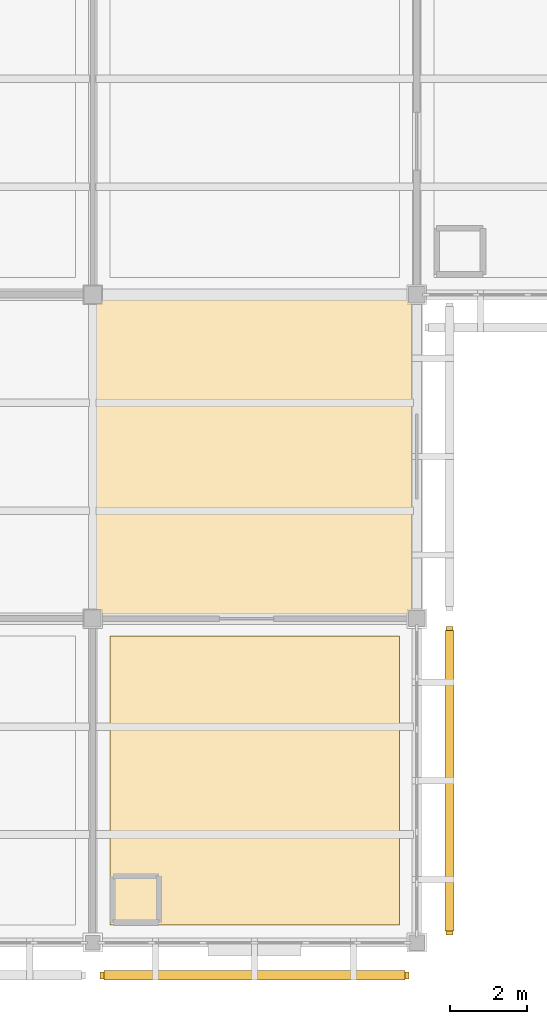
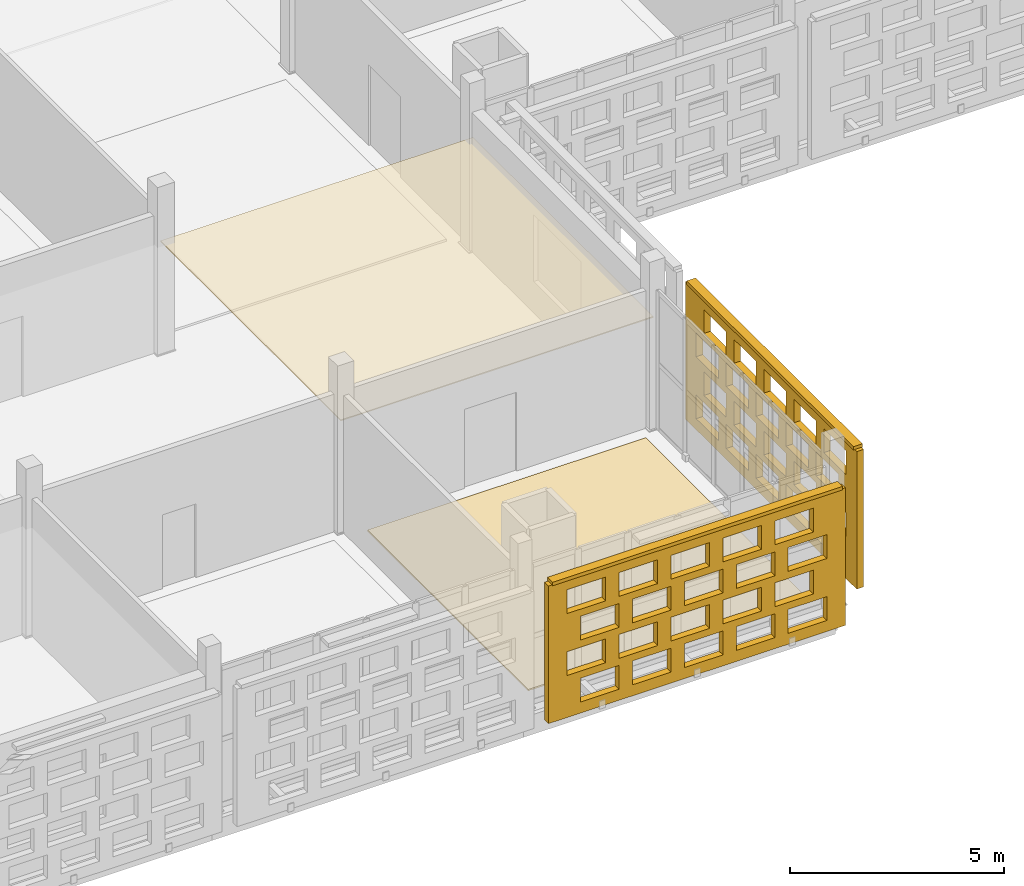
# One storey, part 139 of 203: 4 coverings, 2 shading devices, 40 openings.
"""IFC4 building model written with IfcOpenShell, lengths in metres."""

from ifc_helpers import new_model, si_unit, direction, frame, frame_2d, origin, origin_2d, place, context, subcontext, project, spatial, rectangle, extrude, material, layer, layer_set, type_object, element, save


model = new_model("IFC4")

# Units and contexts
model_context = context("Model", 3, precision=1e-05, world=origin(), true_north=direction((0.0, 1.0)))
body_context = subcontext(model_context, "Body", "Model", "MODEL_VIEW")
ifc_project = project(units=[si_unit("LENGTHUNIT", "METRE"), si_unit("AREAUNIT", "SQUARE_METRE"), si_unit("VOLUMEUNIT", "CUBIC_METRE"), si_unit("PLANEANGLEUNIT", "RADIAN"), si_unit("MASSUNIT", "GRAM", prefix="KILO")], contexts=[model_context])

# Site, building, storey
site_placement = place(None, origin())
site = spatial("IfcSite", under=ifc_project, at=site_placement, CompositionType="ELEMENT")
building_placement = place(site_placement, origin())
building = spatial("IfcBuilding", under=site, at=building_placement, Name="Varnapada Polytechnic", CompositionType="ELEMENT")
storey_placement = place(building_placement, frame((0.0, 0.0, 4.800048828125)))
storey = spatial("IfcBuildingStorey", under=building, at=storey_placement, Name="L01", CompositionType="ELEMENT", Elevation=4.800048828125)

# Coverings
ifc_material_1 = material(Name="Acoustic Rubber Seminar Flooring")
ifc_layer_1 = layer(ifc_material_1, 0.0400390625)
ifc_layer_set_1 = layer_set([ifc_layer_1], Name="Acoustic Rubber Seminar Flooring")
covering_type_1 = type_object("IfcCoveringType", Name="Floor Finish FLR-06", PredefinedType="FLOORING", material=ifc_layer_set_1)
covering_1_placement = place(storey_placement, frame((54.60009765625, 4.199951171875, 0.0), z_axis=(0.0, 0.0, 1.0), x_axis=(1.0, 0.0, 0.0)))
element("IfcCovering", 1, at=covering_1_placement, inside=storey, type_object=covering_type_1, Name="L01 floor finish panel (7,1)", PredefinedType="FLOORING", context=body_context, shape_type="SweptSolid", body=[
    extrude(rectangle(XDim=7.5, YDim=7.5, at=origin_2d()), origin(), (0.0, 0.0, 1.0), 0.0400390625),
])
ifc_material_2 = material(Name="Moisture-Resistant Aluminum Baffle Ceiling", Category="aluminium")
ifc_layer_2 = layer(ifc_material_2, 0.030029296875)
ifc_layer_set_2 = layer_set([ifc_layer_2], Name="Moisture-Resistant Aluminum Baffle Ceiling")
covering_type_2 = type_object("IfcCoveringType", Name="Suspended Ceiling CLG-03", PredefinedType="CEILING", material=ifc_layer_set_2)
covering_2_placement = place(storey_placement, frame((54.60009765625, 12.60009765625, 3.03515625), z_axis=(0.0, 0.0, 1.0), x_axis=(1.0, 0.0, 0.0)))
element("IfcCovering", 2, at=covering_2_placement, inside=storey, type_object=covering_type_2, Name="L01 suspended acoustic ceiling (7,2)", PredefinedType="CEILING", context=body_context, shape_type="SweptSolid", body=[
    extrude(rectangle(XDim=8.419921875, YDim=8.419921875, at=origin_2d()), origin(), (0.0, 0.0, 1.0), 0.030029296875),
])

# Covering, openings
ifc_material_3 = material(Name="Earth-toned architectural terracotta screen block", Category="masonry")
ifc_layer_3 = layer(ifc_material_3, 0.1201171875)
ifc_layer_set_3 = layer_set([ifc_layer_3], Name="Earth-toned architectural terracotta screen block")
covering_type_3 = type_object("IfcCoveringType", Name="Terracotta Screen Cladding CLD-01", PredefinedType="CLADDING", material=ifc_layer_set_3)
covering_3_placement = place(storey_placement, frame((58.60009765625, -0.85009765625, 0.0), z_axis=(0.0, 0.0, 1.0), x_axis=(-1.0, 0.0, 0.0)))
covering_3 = element("IfcCovering", 3, at=covering_3_placement, inside=storey, type_object=covering_type_3, Name="L01 perforated terracotta block screen (43)", PredefinedType="CLADDING", context=body_context, shape_type="SweptSolid", body=[
    extrude(rectangle(XDim=8.010009765625, YDim=0.179931640625, at=frame_2d((4.0048828125, 0.0))), origin(), (0.0, 0.0, 1.0), 3.919921875),
])
opening_1_placement = place(covering_3_placement, frame((0.5048828125, 0.0, 0.313720703125)))
element("IfcOpeningElement", 4, at=opening_1_placement, cuts=covering_3, Name="Screen perforation TBS-L01-042.1", PredefinedType="OPENING", context=body_context, shape_type="SweptSolid", body=[
    extrude(rectangle(XDim=1.0400390625, YDim=0.679931640625, at=frame_2d((0.52001953125, 0.33984375))), frame((0.0, 0.099853515625, 0.0), z_axis=(0.0, -1.0, 0.0), x_axis=(1.0, 0.0, 0.0)), (0.0, 0.0, 1.0), 0.199951171875),
])
opening_2_placement = place(covering_3_placement, frame((1.905029296875, 0.0, 0.313720703125)))
element("IfcOpeningElement", 5, at=opening_2_placement, cuts=covering_3, Name="Screen perforation TBS-L01-042.2", PredefinedType="OPENING", context=body_context, shape_type="SweptSolid", body=[
    extrude(rectangle(XDim=1.0400390625, YDim=0.679931640625, at=frame_2d((0.52001953125, 0.33984375))), frame((0.0, 0.099853515625, 0.0), z_axis=(0.0, -1.0, 0.0), x_axis=(1.0, 0.0, 0.0)), (0.0, 0.0, 1.0), 0.199951171875),
])
opening_3_placement = place(covering_3_placement, frame((3.304931640625, 0.0, 0.313720703125)))
element("IfcOpeningElement", 6, at=opening_3_placement, cuts=covering_3, Name="Screen perforation TBS-L01-042.3", PredefinedType="OPENING", context=body_context, shape_type="SweptSolid", body=[
    extrude(rectangle(XDim=1.0400390625, YDim=0.679931640625, at=frame_2d((0.52001953125, 0.33984375))), frame((0.0, 0.099853515625, 0.0), z_axis=(0.0, -1.0, 0.0), x_axis=(1.0, 0.0, 0.0)), (0.0, 0.0, 1.0), 0.199951171875),
])
opening_4_placement = place(covering_3_placement, frame((4.705078125, 0.0, 0.313720703125)))
element("IfcOpeningElement", 7, at=opening_4_placement, cuts=covering_3, Name="Screen perforation TBS-L01-042.4", PredefinedType="OPENING", context=body_context, shape_type="SweptSolid", body=[
    extrude(rectangle(XDim=1.0400390625, YDim=0.679931640625, at=frame_2d((0.52001953125, 0.33984375))), frame((0.0, 0.099853515625, 0.0), z_axis=(0.0, -1.0, 0.0), x_axis=(1.0, 0.0, 0.0)), (0.0, 0.0, 1.0), 0.199951171875),
])
opening_5_placement = place(covering_3_placement, frame((6.10498046875, 0.0, 0.313720703125)))
element("IfcOpeningElement", 8, at=opening_5_placement, cuts=covering_3, Name="Screen perforation TBS-L01-042.5", PredefinedType="OPENING", context=body_context, shape_type="SweptSolid", body=[
    extrude(rectangle(XDim=1.0400390625, YDim=0.679931640625, at=frame_2d((0.52001953125, 0.33984375))), frame((0.0, 0.099853515625, 0.0), z_axis=(0.0, -1.0, 0.0), x_axis=(1.0, 0.0, 0.0)), (0.0, 0.0, 1.0), 0.199951171875),
])
opening_6_placement = place(covering_3_placement, frame((0.864990234375, 0.0, 1.195556640625)))
element("IfcOpeningElement", 9, at=opening_6_placement, cuts=covering_3, Name="Screen perforation TBS-L01-042.6", PredefinedType="OPENING", context=body_context, shape_type="SweptSolid", body=[
    extrude(rectangle(XDim=1.0400390625, YDim=0.679931640625, at=frame_2d((0.52001953125, 0.33984375))), frame((0.0, 0.099853515625, 0.0), z_axis=(0.0, -1.0, 0.0), x_axis=(1.0, 0.0, 0.0)), (0.0, 0.0, 1.0), 0.199951171875),
])
opening_7_placement = place(covering_3_placement, frame((2.264892578125, 0.0, 1.195556640625)))
element("IfcOpeningElement", 10, at=opening_7_placement, cuts=covering_3, Name="Screen perforation TBS-L01-042.7", PredefinedType="OPENING", context=body_context, shape_type="SweptSolid", body=[
    extrude(rectangle(XDim=1.0400390625, YDim=0.679931640625, at=frame_2d((0.52001953125, 0.33984375))), frame((0.0, 0.099853515625, 0.0), z_axis=(0.0, -1.0, 0.0), x_axis=(1.0, 0.0, 0.0)), (0.0, 0.0, 1.0), 0.199951171875),
])
opening_8_placement = place(covering_3_placement, frame((3.6650390625, 0.0, 1.195556640625)))
element("IfcOpeningElement", 11, at=opening_8_placement, cuts=covering_3, Name="Screen perforation TBS-L01-042.8", PredefinedType="OPENING", context=body_context, shape_type="SweptSolid", body=[
    extrude(rectangle(XDim=1.0400390625, YDim=0.679931640625, at=frame_2d((0.52001953125, 0.33984375))), frame((0.0, 0.099853515625, 0.0), z_axis=(0.0, -1.0, 0.0), x_axis=(1.0, 0.0, 0.0)), (0.0, 0.0, 1.0), 0.199951171875),
])
opening_9_placement = place(covering_3_placement, frame((5.06494140625, 0.0, 1.195556640625)))
element("IfcOpeningElement", 12, at=opening_9_placement, cuts=covering_3, Name="Screen perforation TBS-L01-042.9", PredefinedType="OPENING", context=body_context, shape_type="SweptSolid", body=[
    extrude(rectangle(XDim=1.0400390625, YDim=0.679931640625, at=frame_2d((0.52001953125, 0.33984375))), frame((0.0, 0.099853515625, 0.0), z_axis=(0.0, -1.0, 0.0), x_axis=(1.0, 0.0, 0.0)), (0.0, 0.0, 1.0), 0.199951171875),
])
opening_10_placement = place(covering_3_placement, frame((6.465087890625, 0.0, 1.195556640625)))
element("IfcOpeningElement", 13, at=opening_10_placement, cuts=covering_3, Name="Screen perforation TBS-L01-042.10", PredefinedType="OPENING", context=body_context, shape_type="SweptSolid", body=[
    extrude(rectangle(XDim=1.0400390625, YDim=0.679931640625, at=frame_2d((0.52001953125, 0.33984375))), frame((0.0, 0.099853515625, 0.0), z_axis=(0.0, -1.0, 0.0), x_axis=(1.0, 0.0, 0.0)), (0.0, 0.0, 1.0), 0.199951171875),
])
opening_11_placement = place(covering_3_placement, frame((0.5048828125, 0.0, 2.07763671875)))
element("IfcOpeningElement", 14, at=opening_11_placement, cuts=covering_3, Name="Screen perforation TBS-L01-042.11", PredefinedType="OPENING", context=body_context, shape_type="SweptSolid", body=[
    extrude(rectangle(XDim=1.0400390625, YDim=0.679931640625, at=frame_2d((0.52001953125, 0.33984375))), frame((0.0, 0.099853515625, 0.0), z_axis=(0.0, -1.0, 0.0), x_axis=(1.0, 0.0, 0.0)), (0.0, 0.0, 1.0), 0.199951171875),
])
opening_12_placement = place(covering_3_placement, frame((1.905029296875, 0.0, 2.07763671875)))
element("IfcOpeningElement", 15, at=opening_12_placement, cuts=covering_3, Name="Screen perforation TBS-L01-042.12", PredefinedType="OPENING", context=body_context, shape_type="SweptSolid", body=[
    extrude(rectangle(XDim=1.0400390625, YDim=0.679931640625, at=frame_2d((0.52001953125, 0.33984375))), frame((0.0, 0.099853515625, 0.0), z_axis=(0.0, -1.0, 0.0), x_axis=(1.0, 0.0, 0.0)), (0.0, 0.0, 1.0), 0.199951171875),
])
opening_13_placement = place(covering_3_placement, frame((3.304931640625, 0.0, 2.07763671875)))
element("IfcOpeningElement", 16, at=opening_13_placement, cuts=covering_3, Name="Screen perforation TBS-L01-042.13", PredefinedType="OPENING", context=body_context, shape_type="SweptSolid", body=[
    extrude(rectangle(XDim=1.0400390625, YDim=0.679931640625, at=frame_2d((0.52001953125, 0.33984375))), frame((0.0, 0.099853515625, 0.0), z_axis=(0.0, -1.0, 0.0), x_axis=(1.0, 0.0, 0.0)), (0.0, 0.0, 1.0), 0.199951171875),
])
opening_14_placement = place(covering_3_placement, frame((4.705078125, 0.0, 2.07763671875)))
element("IfcOpeningElement", 17, at=opening_14_placement, cuts=covering_3, Name="Screen perforation TBS-L01-042.14", PredefinedType="OPENING", context=body_context, shape_type="SweptSolid", body=[
    extrude(rectangle(XDim=1.0400390625, YDim=0.679931640625, at=frame_2d((0.52001953125, 0.33984375))), frame((0.0, 0.099853515625, 0.0), z_axis=(0.0, -1.0, 0.0), x_axis=(1.0, 0.0, 0.0)), (0.0, 0.0, 1.0), 0.199951171875),
])
opening_15_placement = place(covering_3_placement, frame((6.10498046875, 0.0, 2.07763671875)))
element("IfcOpeningElement", 18, at=opening_15_placement, cuts=covering_3, Name="Screen perforation TBS-L01-042.15", PredefinedType="OPENING", context=body_context, shape_type="SweptSolid", body=[
    extrude(rectangle(XDim=1.0400390625, YDim=0.679931640625, at=frame_2d((0.52001953125, 0.33984375))), frame((0.0, 0.099853515625, 0.0), z_axis=(0.0, -1.0, 0.0), x_axis=(1.0, 0.0, 0.0)), (0.0, 0.0, 1.0), 0.199951171875),
])
opening_16_placement = place(covering_3_placement, frame((0.864990234375, 0.0, 2.959716796875)))
element("IfcOpeningElement", 19, at=opening_16_placement, cuts=covering_3, Name="Screen perforation TBS-L01-042.16", PredefinedType="OPENING", context=body_context, shape_type="SweptSolid", body=[
    extrude(rectangle(XDim=1.0400390625, YDim=0.679931640625, at=frame_2d((0.52001953125, 0.33984375))), frame((0.0, 0.099853515625, 0.0), z_axis=(0.0, -1.0, 0.0), x_axis=(1.0, 0.0, 0.0)), (0.0, 0.0, 1.0), 0.199951171875),
])
opening_17_placement = place(covering_3_placement, frame((2.264892578125, 0.0, 2.959716796875)))
element("IfcOpeningElement", 20, at=opening_17_placement, cuts=covering_3, Name="Screen perforation TBS-L01-042.17", PredefinedType="OPENING", context=body_context, shape_type="SweptSolid", body=[
    extrude(rectangle(XDim=1.0400390625, YDim=0.679931640625, at=frame_2d((0.52001953125, 0.33984375))), frame((0.0, 0.099853515625, 0.0), z_axis=(0.0, -1.0, 0.0), x_axis=(1.0, 0.0, 0.0)), (0.0, 0.0, 1.0), 0.199951171875),
])
opening_18_placement = place(covering_3_placement, frame((3.6650390625, 0.0, 2.959716796875)))
element("IfcOpeningElement", 21, at=opening_18_placement, cuts=covering_3, Name="Screen perforation TBS-L01-042.18", PredefinedType="OPENING", context=body_context, shape_type="SweptSolid", body=[
    extrude(rectangle(XDim=1.0400390625, YDim=0.679931640625, at=frame_2d((0.52001953125, 0.33984375))), frame((0.0, 0.099853515625, 0.0), z_axis=(0.0, -1.0, 0.0), x_axis=(1.0, 0.0, 0.0)), (0.0, 0.0, 1.0), 0.199951171875),
])
opening_19_placement = place(covering_3_placement, frame((5.06494140625, 0.0, 2.959716796875)))
element("IfcOpeningElement", 22, at=opening_19_placement, cuts=covering_3, Name="Screen perforation TBS-L01-042.19", PredefinedType="OPENING", context=body_context, shape_type="SweptSolid", body=[
    extrude(rectangle(XDim=1.0400390625, YDim=0.679931640625, at=frame_2d((0.52001953125, 0.33984375))), frame((0.0, 0.099853515625, 0.0), z_axis=(0.0, -1.0, 0.0), x_axis=(1.0, 0.0, 0.0)), (0.0, 0.0, 1.0), 0.199951171875),
])
opening_20_placement = place(covering_3_placement, frame((6.465087890625, 0.0, 2.959716796875)))
element("IfcOpeningElement", 23, at=opening_20_placement, cuts=covering_3, Name="Screen perforation TBS-L01-042.20", PredefinedType="OPENING", context=body_context, shape_type="SweptSolid", body=[
    extrude(rectangle(XDim=1.0400390625, YDim=0.679931640625, at=frame_2d((0.52001953125, 0.33984375))), frame((0.0, 0.099853515625, 0.0), z_axis=(0.0, -1.0, 0.0), x_axis=(1.0, 0.0, 0.0)), (0.0, 0.0, 1.0), 0.199951171875),
])

covering_4_placement = place(storey_placement, frame((59.64990234375, 8.18994140625, 0.0), z_axis=(0.0, 0.0, 1.0), x_axis=(0.0, -1.0, 0.0)))
covering_4 = element("IfcCovering", 24, at=covering_4_placement, inside=storey, type_object=covering_type_3, Name="L01 perforated terracotta block screen (44)", PredefinedType="CLADDING", context=body_context, shape_type="SweptSolid", body=[
    extrude(rectangle(XDim=7.989990234375, YDim=0.179931640625, at=frame_2d((3.9951171875, 0.0))), origin(), (0.0, 0.0, 1.0), 3.919921875),
])
opening_21_placement = place(covering_4_placement, frame((0.4951171875, 0.0, 0.313720703125)))
element("IfcOpeningElement", 25, at=opening_21_placement, cuts=covering_4, Name="Screen perforation TBS-L01-043.1", PredefinedType="OPENING", context=body_context, shape_type="SweptSolid", body=[
    extrude(rectangle(XDim=1.0400390625, YDim=0.679931640625, at=frame_2d((0.52001953125, 0.33984375))), frame((0.0, 0.099853515625, 0.0), z_axis=(0.0, -1.0, 0.0), x_axis=(1.0, 0.0, 0.0)), (0.0, 0.0, 1.0), 0.199951171875),
])
opening_22_placement = place(covering_4_placement, frame((1.89501953125, 0.0, 0.313720703125)))
element("IfcOpeningElement", 26, at=opening_22_placement, cuts=covering_4, Name="Screen perforation TBS-L01-043.2", PredefinedType="OPENING", context=body_context, shape_type="SweptSolid", body=[
    extrude(rectangle(XDim=1.0400390625, YDim=0.679931640625, at=frame_2d((0.52001953125, 0.33984375))), frame((0.0, 0.099853515625, 0.0), z_axis=(0.0, -1.0, 0.0), x_axis=(1.0, 0.0, 0.0)), (0.0, 0.0, 1.0), 0.199951171875),
])
opening_23_placement = place(covering_4_placement, frame((3.294921875, 0.0, 0.313720703125)))
element("IfcOpeningElement", 27, at=opening_23_placement, cuts=covering_4, Name="Screen perforation TBS-L01-043.3", PredefinedType="OPENING", context=body_context, shape_type="SweptSolid", body=[
    extrude(rectangle(XDim=1.0400390625, YDim=0.679931640625, at=frame_2d((0.52001953125, 0.33984375))), frame((0.0, 0.099853515625, 0.0), z_axis=(0.0, -1.0, 0.0), x_axis=(1.0, 0.0, 0.0)), (0.0, 0.0, 1.0), 0.199951171875),
])
opening_24_placement = place(covering_4_placement, frame((4.695068359375, 0.0, 0.313720703125)))
element("IfcOpeningElement", 28, at=opening_24_placement, cuts=covering_4, Name="Screen perforation TBS-L01-043.4", PredefinedType="OPENING", context=body_context, shape_type="SweptSolid", body=[
    extrude(rectangle(XDim=1.0400390625, YDim=0.679931640625, at=frame_2d((0.52001953125, 0.33984375))), frame((0.0, 0.099853515625, 0.0), z_axis=(0.0, -1.0, 0.0), x_axis=(1.0, 0.0, 0.0)), (0.0, 0.0, 1.0), 0.199951171875),
])
opening_25_placement = place(covering_4_placement, frame((6.094970703125, 0.0, 0.313720703125)))
element("IfcOpeningElement", 29, at=opening_25_placement, cuts=covering_4, Name="Screen perforation TBS-L01-043.5", PredefinedType="OPENING", context=body_context, shape_type="SweptSolid", body=[
    extrude(rectangle(XDim=1.0400390625, YDim=0.679931640625, at=frame_2d((0.52001953125, 0.33984375))), frame((0.0, 0.099853515625, 0.0), z_axis=(0.0, -1.0, 0.0), x_axis=(1.0, 0.0, 0.0)), (0.0, 0.0, 1.0), 0.199951171875),
])
opening_26_placement = place(covering_4_placement, frame((0.85498046875, 0.0, 1.195556640625)))
element("IfcOpeningElement", 30, at=opening_26_placement, cuts=covering_4, Name="Screen perforation TBS-L01-043.6", PredefinedType="OPENING", context=body_context, shape_type="SweptSolid", body=[
    extrude(rectangle(XDim=1.0400390625, YDim=0.679931640625, at=frame_2d((0.52001953125, 0.33984375))), frame((0.0, 0.099853515625, 0.0), z_axis=(0.0, -1.0, 0.0), x_axis=(1.0, 0.0, 0.0)), (0.0, 0.0, 1.0), 0.199951171875),
])
opening_27_placement = place(covering_4_placement, frame((2.2548828125, 0.0, 1.195556640625)))
element("IfcOpeningElement", 31, at=opening_27_placement, cuts=covering_4, Name="Screen perforation TBS-L01-043.7", PredefinedType="OPENING", context=body_context, shape_type="SweptSolid", body=[
    extrude(rectangle(XDim=1.0400390625, YDim=0.679931640625, at=frame_2d((0.52001953125, 0.33984375))), frame((0.0, 0.099853515625, 0.0), z_axis=(0.0, -1.0, 0.0), x_axis=(1.0, 0.0, 0.0)), (0.0, 0.0, 1.0), 0.199951171875),
])
opening_28_placement = place(covering_4_placement, frame((3.655029296875, 0.0, 1.195556640625)))
element("IfcOpeningElement", 32, at=opening_28_placement, cuts=covering_4, Name="Screen perforation TBS-L01-043.8", PredefinedType="OPENING", context=body_context, shape_type="SweptSolid", body=[
    extrude(rectangle(XDim=1.0400390625, YDim=0.679931640625, at=frame_2d((0.52001953125, 0.33984375))), frame((0.0, 0.099853515625, 0.0), z_axis=(0.0, -1.0, 0.0), x_axis=(1.0, 0.0, 0.0)), (0.0, 0.0, 1.0), 0.199951171875),
])
opening_29_placement = place(covering_4_placement, frame((5.054931640625, 0.0, 1.195556640625)))
element("IfcOpeningElement", 33, at=opening_29_placement, cuts=covering_4, Name="Screen perforation TBS-L01-043.9", PredefinedType="OPENING", context=body_context, shape_type="SweptSolid", body=[
    extrude(rectangle(XDim=1.0400390625, YDim=0.679931640625, at=frame_2d((0.52001953125, 0.33984375))), frame((0.0, 0.099853515625, 0.0), z_axis=(0.0, -1.0, 0.0), x_axis=(1.0, 0.0, 0.0)), (0.0, 0.0, 1.0), 0.199951171875),
])
opening_30_placement = place(covering_4_placement, frame((6.455078125, 0.0, 1.195556640625)))
element("IfcOpeningElement", 34, at=opening_30_placement, cuts=covering_4, Name="Screen perforation TBS-L01-043.10", PredefinedType="OPENING", context=body_context, shape_type="SweptSolid", body=[
    extrude(rectangle(XDim=1.0400390625, YDim=0.679931640625, at=frame_2d((0.52001953125, 0.33984375))), frame((0.0, 0.099853515625, 0.0), z_axis=(0.0, -1.0, 0.0), x_axis=(1.0, 0.0, 0.0)), (0.0, 0.0, 1.0), 0.199951171875),
])
opening_31_placement = place(covering_4_placement, frame((0.4951171875, 0.0, 2.07763671875)))
element("IfcOpeningElement", 35, at=opening_31_placement, cuts=covering_4, Name="Screen perforation TBS-L01-043.11", PredefinedType="OPENING", context=body_context, shape_type="SweptSolid", body=[
    extrude(rectangle(XDim=1.0400390625, YDim=0.679931640625, at=frame_2d((0.52001953125, 0.33984375))), frame((0.0, 0.099853515625, 0.0), z_axis=(0.0, -1.0, 0.0), x_axis=(1.0, 0.0, 0.0)), (0.0, 0.0, 1.0), 0.199951171875),
])
opening_32_placement = place(covering_4_placement, frame((1.89501953125, 0.0, 2.07763671875)))
element("IfcOpeningElement", 36, at=opening_32_placement, cuts=covering_4, Name="Screen perforation TBS-L01-043.12", PredefinedType="OPENING", context=body_context, shape_type="SweptSolid", body=[
    extrude(rectangle(XDim=1.0400390625, YDim=0.679931640625, at=frame_2d((0.52001953125, 0.33984375))), frame((0.0, 0.099853515625, 0.0), z_axis=(0.0, -1.0, 0.0), x_axis=(1.0, 0.0, 0.0)), (0.0, 0.0, 1.0), 0.199951171875),
])
opening_33_placement = place(covering_4_placement, frame((3.294921875, 0.0, 2.07763671875)))
element("IfcOpeningElement", 37, at=opening_33_placement, cuts=covering_4, Name="Screen perforation TBS-L01-043.13", PredefinedType="OPENING", context=body_context, shape_type="SweptSolid", body=[
    extrude(rectangle(XDim=1.0400390625, YDim=0.679931640625, at=frame_2d((0.52001953125, 0.33984375))), frame((0.0, 0.099853515625, 0.0), z_axis=(0.0, -1.0, 0.0), x_axis=(1.0, 0.0, 0.0)), (0.0, 0.0, 1.0), 0.199951171875),
])
opening_34_placement = place(covering_4_placement, frame((4.695068359375, 0.0, 2.07763671875)))
element("IfcOpeningElement", 38, at=opening_34_placement, cuts=covering_4, Name="Screen perforation TBS-L01-043.14", PredefinedType="OPENING", context=body_context, shape_type="SweptSolid", body=[
    extrude(rectangle(XDim=1.0400390625, YDim=0.679931640625, at=frame_2d((0.52001953125, 0.33984375))), frame((0.0, 0.099853515625, 0.0), z_axis=(0.0, -1.0, 0.0), x_axis=(1.0, 0.0, 0.0)), (0.0, 0.0, 1.0), 0.199951171875),
])
opening_35_placement = place(covering_4_placement, frame((6.094970703125, 0.0, 2.07763671875)))
element("IfcOpeningElement", 39, at=opening_35_placement, cuts=covering_4, Name="Screen perforation TBS-L01-043.15", PredefinedType="OPENING", context=body_context, shape_type="SweptSolid", body=[
    extrude(rectangle(XDim=1.0400390625, YDim=0.679931640625, at=frame_2d((0.52001953125, 0.33984375))), frame((0.0, 0.099853515625, 0.0), z_axis=(0.0, -1.0, 0.0), x_axis=(1.0, 0.0, 0.0)), (0.0, 0.0, 1.0), 0.199951171875),
])
opening_36_placement = place(covering_4_placement, frame((0.85498046875, 0.0, 2.959716796875)))
element("IfcOpeningElement", 40, at=opening_36_placement, cuts=covering_4, Name="Screen perforation TBS-L01-043.16", PredefinedType="OPENING", context=body_context, shape_type="SweptSolid", body=[
    extrude(rectangle(XDim=1.0400390625, YDim=0.679931640625, at=frame_2d((0.52001953125, 0.33984375))), frame((0.0, 0.099853515625, 0.0), z_axis=(0.0, -1.0, 0.0), x_axis=(1.0, 0.0, 0.0)), (0.0, 0.0, 1.0), 0.199951171875),
])
opening_37_placement = place(covering_4_placement, frame((2.2548828125, 0.0, 2.959716796875)))
element("IfcOpeningElement", 41, at=opening_37_placement, cuts=covering_4, Name="Screen perforation TBS-L01-043.17", PredefinedType="OPENING", context=body_context, shape_type="SweptSolid", body=[
    extrude(rectangle(XDim=1.0400390625, YDim=0.679931640625, at=frame_2d((0.52001953125, 0.33984375))), frame((0.0, 0.099853515625, 0.0), z_axis=(0.0, -1.0, 0.0), x_axis=(1.0, 0.0, 0.0)), (0.0, 0.0, 1.0), 0.199951171875),
])
opening_38_placement = place(covering_4_placement, frame((3.655029296875, 0.0, 2.959716796875)))
element("IfcOpeningElement", 42, at=opening_38_placement, cuts=covering_4, Name="Screen perforation TBS-L01-043.18", PredefinedType="OPENING", context=body_context, shape_type="SweptSolid", body=[
    extrude(rectangle(XDim=1.0400390625, YDim=0.679931640625, at=frame_2d((0.52001953125, 0.33984375))), frame((0.0, 0.099853515625, 0.0), z_axis=(0.0, -1.0, 0.0), x_axis=(1.0, 0.0, 0.0)), (0.0, 0.0, 1.0), 0.199951171875),
])
opening_39_placement = place(covering_4_placement, frame((5.054931640625, 0.0, 2.959716796875)))
element("IfcOpeningElement", 43, at=opening_39_placement, cuts=covering_4, Name="Screen perforation TBS-L01-043.19", PredefinedType="OPENING", context=body_context, shape_type="SweptSolid", body=[
    extrude(rectangle(XDim=1.0400390625, YDim=0.679931640625, at=frame_2d((0.52001953125, 0.33984375))), frame((0.0, 0.099853515625, 0.0), z_axis=(0.0, -1.0, 0.0), x_axis=(1.0, 0.0, 0.0)), (0.0, 0.0, 1.0), 0.199951171875),
])
opening_40_placement = place(covering_4_placement, frame((6.455078125, 0.0, 2.959716796875)))
element("IfcOpeningElement", 44, at=opening_40_placement, cuts=covering_4, Name="Screen perforation TBS-L01-043.20", PredefinedType="OPENING", context=body_context, shape_type="SweptSolid", body=[
    extrude(rectangle(XDim=1.0400390625, YDim=0.679931640625, at=frame_2d((0.52001953125, 0.33984375))), frame((0.0, 0.099853515625, 0.0), z_axis=(0.0, -1.0, 0.0), x_axis=(1.0, 0.0, 0.0)), (0.0, 0.0, 1.0), 0.199951171875),
])

# Shading devices
ifc_layer_4 = layer(ifc_material_3, 0.179931640625)
ifc_layer_set_4 = layer_set([ifc_layer_4], Name="Earth-toned architectural terracotta screen block")
shading_device_type = type_object("IfcShadingDeviceType", Name="Terracotta Screen SCR-02", PredefinedType="USERDEFINED", material=ifc_layer_set_4)
shading_device_1_placement = place(storey_placement, frame((54.594970703125, -0.85009765625, 3.909912109375), z_axis=(0.0, 0.0, 1.0), x_axis=(-1.0, 0.0, 0.0)))
element("IfcShadingDevice", 45, at=shading_device_1_placement, inside=storey, type_object=shading_device_type, Name="L01 perforated terracotta screen hood 124", ObjectType="SCREEN", PredefinedType="USERDEFINED", context=body_context, shape_type="SweptSolid", body=[
    extrude(rectangle(XDim=7.81005859375, YDim=0.239990234375, at=origin_2d()), origin(), (0.0, 0.0, 1.0), 0.10009765625),
])
shading_device_2_placement = place(storey_placement, frame((59.64990234375, 4.195068359375, 3.909912109375), z_axis=(0.0, 0.0, 1.0), x_axis=(0.0, -1.0, 0.0)))
element("IfcShadingDevice", 46, at=shading_device_2_placement, inside=storey, type_object=shading_device_type, Name="L01 perforated terracotta screen hood 125", ObjectType="SCREEN", PredefinedType="USERDEFINED", context=body_context, shape_type="SweptSolid", body=[
    extrude(rectangle(XDim=7.7900390625, YDim=0.239990234375, at=origin_2d()), origin(), (0.0, 0.0, 1.0), 0.10009765625),
])

save(model, "model.ifc")
